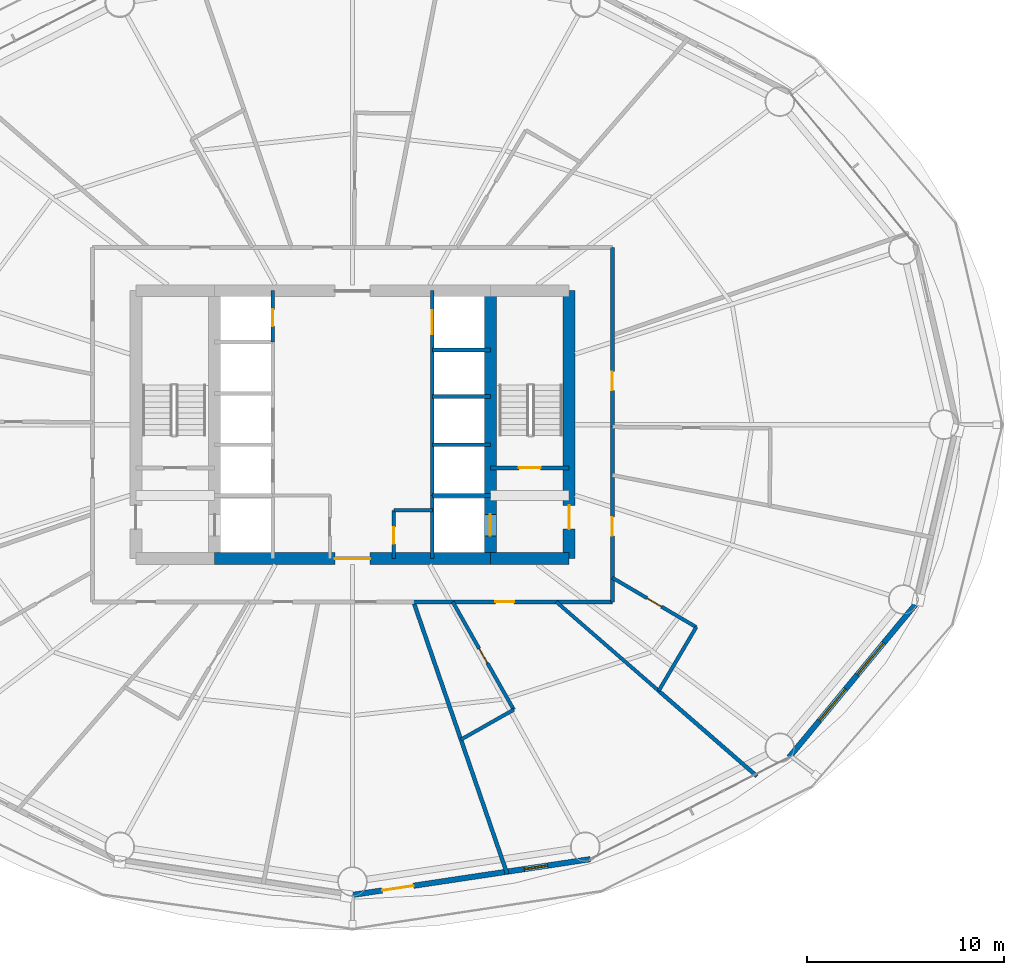
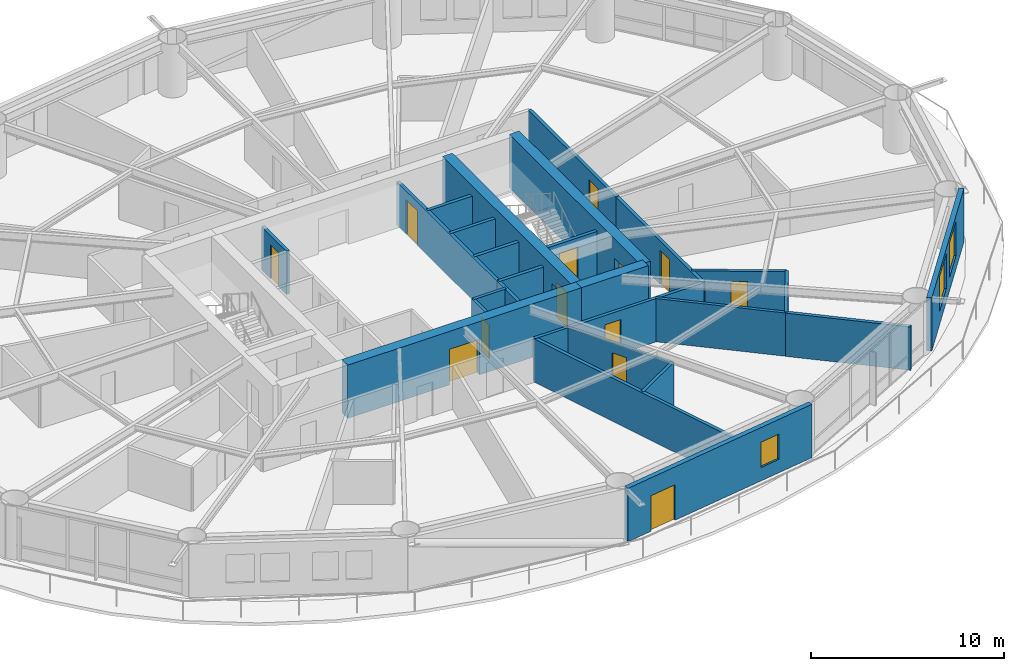
# One storey, part 21 of 26: 26 walls, 13 doors, 3 windows, 16 openings.
"""IFC4 building model written with IfcOpenShell, lengths in metres."""

from ifc_helpers import new_model, si_unit, direction, frame, frame_2d, origin, place, context, subcontext, project, spatial, rectangle, extrude, material, layer, layer_set, type_object, element, fill, save


model = new_model("IFC4")

# Units and contexts
model_context = context("Model", 3, precision=1e-05, world=origin(), true_north=direction((0.0, 1.0)))
body_context = subcontext(model_context, "Body", "Model", "MODEL_VIEW")
ifc_project = project(units=[si_unit("LENGTHUNIT", "METRE"), si_unit("AREAUNIT", "SQUARE_METRE"), si_unit("VOLUMEUNIT", "CUBIC_METRE"), si_unit("PLANEANGLEUNIT", "RADIAN"), si_unit("MASSUNIT", "GRAM", prefix="KILO")], contexts=[model_context])

# Site, building, storey
site_placement = place(None, origin())
site = spatial("IfcSite", under=ifc_project, at=site_placement, CompositionType="ELEMENT")
building_placement = place(site_placement, origin())
building = spatial("IfcBuilding", under=site, at=building_placement, Name="Sarneth Arch Tower", CompositionType="ELEMENT")
storey_placement = place(building_placement, frame((0.0, 0.0, 71.39990234375)))
storey = spatial("IfcBuildingStorey", under=building, at=storey_placement, Name="L17", CompositionType="ELEMENT", Elevation=71.39990234375)

# Wall, opening, door
ifc_material_1 = material(Name="Concrete C60/75", Category="concrete")
ifc_layer_1 = layer(ifc_material_1, 0.60009765625)
ifc_layer_set_1 = layer_set([ifc_layer_1], Name="Concrete C60/75")
wall_type_1 = type_object("IfcWallType", Name="WALL-CORE-600", PredefinedType="SHEAR", material=ifc_layer_set_1)
wall_1_placement = place(storey_placement, frame((41.0, 35.199951171875, 0.0), z_axis=(0.0, 0.0, 1.0), x_axis=(1.0, 0.0, 0.0)))
wall_1 = element("IfcWall", 1, at=wall_1_placement, inside=storey, type_object=wall_type_1, Name="L17 Core shear wall S-M", PredefinedType="SHEAR", context=body_context, shape_type="SweptSolid", body=[
    extrude(rectangle(XDim=14.0, YDim=0.60009765625, at=frame_2d((7.0, 0.0))), origin(), (0.0, 0.0, 1.0), 3.380126953125),
])
opening_1_placement = place(wall_1_placement, frame((6.10009765625, 0.0, 0.0)))
opening_1 = element("IfcOpeningElement", 2, at=opening_1_placement, cuts=wall_1, Name="Opening FD-01", PredefinedType="OPENING", context=body_context, shape_type="SweptSolid", body=[
    extrude(rectangle(XDim=1.800048828125, YDim=2.25, at=frame_2d((0.89990234375, 1.125))), frame((0.0, 0.31005859375, 0.0), z_axis=(0.0, -1.0, 0.0), x_axis=(1.0, 0.0, 0.0)), (0.0, 0.0, 1.0), 0.6201171875),
])
ifc_material_2 = material(Name="Galvanised Steel S275 fire door set", Category="steel")
door_type_1 = type_object("IfcDoorType", Name="DR-FD90-1800", OperationType="DOUBLE_DOOR_SINGLE_SWING", PredefinedType="DOOR", material=ifc_material_2)
door_1_placement = place(opening_1_placement, origin())
door_1 = element("IfcDoor", 3, at=door_1_placement, inside=storey, type_object=door_type_1, Name="L17 Central lift lobby south door", OperationType="DOUBLE_DOOR_SINGLE_SWING", OverallHeight=2.25, OverallWidth=1.800048828125, PredefinedType="DOOR", context=body_context, shape_type="SweptSolid", body=[
    extrude(rectangle(XDim=1.800048828125, YDim=2.25, at=frame_2d((0.89990234375, 1.125))), frame((0.0, 0.02490234375, 0.0), z_axis=(0.0, -1.0, 0.0), x_axis=(1.0, 0.0, 0.0)), (0.0, 0.0, 1.0), 0.050048828125),
])
fill(opening_1, door_1)

# Wall
wall_2_placement = place(storey_placement, frame((55.0, 35.199951171875, 0.0), z_axis=(0.0, 0.0, 1.0), x_axis=(1.0, 0.0, 0.0)))
element("IfcWall", 4, at=wall_2_placement, inside=storey, type_object=wall_type_1, Name="L17 Core shear wall S-E", PredefinedType="SHEAR", context=body_context, shape_type="SweptSolid", body=[
    extrude(rectangle(XDim=4.0, YDim=0.60009765625, at=frame_2d((2.0, 0.0))), origin(), (0.0, 0.0, 1.0), 3.380126953125),
])

# Wall, opening, door
wall_3_placement = place(storey_placement, frame((59.0, 35.199951171875, 0.0), z_axis=(0.0, 0.0, 1.0), x_axis=(0.0, 1.0, 0.0)))
wall_3 = element("IfcWall", 5, at=wall_3_placement, inside=storey, type_object=wall_type_1, Name="L17 Core shear wall E", PredefinedType="SHEAR", context=body_context, shape_type="SweptSolid", body=[
    extrude(rectangle(XDim=13.60009765625, YDim=0.60009765625, at=frame_2d((6.800048828125, 0.0))), origin(), (0.0, 0.0, 1.0), 3.380126953125),
])
opening_2_placement = place(wall_3_placement, frame((1.5, 0.0, 0.0)))
opening_2 = element("IfcOpeningElement", 6, at=opening_2_placement, cuts=wall_3, Name="Opening FD-02", PredefinedType="OPENING", context=body_context, shape_type="SweptSolid", body=[
    extrude(rectangle(XDim=1.199951171875, YDim=2.14990234375, at=frame_2d((0.60009765625, 1.074951171875))), frame((0.0, 0.31005859375, 0.0), z_axis=(0.0, -1.0, 0.0), x_axis=(1.0, 0.0, 0.0)), (0.0, 0.0, 1.0), 0.6201171875),
])
ifc_material_3 = material(Name="Galvanised Steel S275 fire door set", Category="steel")
door_type_2 = type_object("IfcDoorType", Name="DR-FD90-1200", OperationType="SINGLE_SWING_LEFT", PredefinedType="DOOR", material=ifc_material_3)
door_2_placement = place(opening_2_placement, origin())
door_2 = element("IfcDoor", 7, at=door_2_placement, inside=storey, type_object=door_type_2, Name="L17 Firefighting lobby 2 exit door", OperationType="SINGLE_SWING_RIGHT", OverallHeight=2.14990234375, OverallWidth=1.199951171875, PredefinedType="DOOR", context=body_context, shape_type="SweptSolid", body=[
    extrude(rectangle(XDim=1.199951171875, YDim=2.14990234375, at=frame_2d((0.60009765625, 1.074951171875))), frame((0.0, 0.02490234375, 0.0), z_axis=(0.0, -1.0, 0.0), x_axis=(1.0, 0.0, 0.0)), (0.0, 0.0, 1.0), 0.050048828125),
])
fill(opening_2, door_2)

wall_4_placement = place(storey_placement, frame((55.0, 35.199951171875, 0.0), z_axis=(0.0, 0.0, 1.0), x_axis=(0.0, 1.0, 0.0)))
wall_4 = element("IfcWall", 8, at=wall_4_placement, inside=storey, type_object=wall_type_1, Name="L17 Core shear wall WEB-E", PredefinedType="SHEAR", context=body_context, shape_type="SweptSolid", body=[
    extrude(rectangle(XDim=13.60009765625, YDim=0.60009765625, at=frame_2d((6.800048828125, 0.0))), origin(), (0.0, 0.0, 1.0), 3.380126953125),
])
opening_3_placement = place(wall_4_placement, frame((1.14990234375, 0.0, 0.0)))
opening_3 = element("IfcOpeningElement", 9, at=opening_3_placement, cuts=wall_4, Name="Opening LD-1", PredefinedType="OPENING", context=body_context, shape_type="SweptSolid", body=[
    extrude(rectangle(XDim=1.10009765625, YDim=2.199951171875, at=frame_2d((0.550048828125, 1.10009765625))), frame((0.0, 0.31005859375, 0.0), z_axis=(0.0, -1.0, 0.0), x_axis=(1.0, 0.0, 0.0)), (0.0, 0.0, 1.0), 0.6201171875),
])
ifc_material_4 = material(Name="Brushed Stainless Steel 304 lift landing door", Category="steel")
door_type_3 = type_object("IfcDoorType", Name="DR-LIFT-SLIDE-1100", OperationType="SLIDING_TO_LEFT", PredefinedType="DOOR", material=ifc_material_4)
door_3_placement = place(opening_3_placement, origin())
door_3 = element("IfcDoor", 10, at=door_3_placement, inside=storey, type_object=door_type_3, Name="L17 Firefighting lift landing door FL-2", OperationType="SLIDING_TO_RIGHT", OverallHeight=2.199951171875, OverallWidth=1.10009765625, PredefinedType="DOOR", context=body_context, shape_type="SweptSolid", body=[
    extrude(rectangle(XDim=1.10009765625, YDim=2.199951171875, at=frame_2d((0.550048828125, 1.10009765625))), frame((0.0, 0.02490234375, 0.0), z_axis=(0.0, -1.0, 0.0), x_axis=(1.0, 0.0, 0.0)), (0.0, 0.0, 1.0), 0.050048828125),
])
fill(opening_3, door_3)

ifc_material_5 = material(Name="Double steel-stud corridor fire wall", Category="steel")
ifc_layer_2 = layer(ifc_material_5, 0.18994140625)
ifc_layer_set_2 = layer_set([ifc_layer_2], Name="Double steel-stud corridor fire wall")
wall_type_2 = type_object("IfcWallType", Name="WALL-CORR-190", PredefinedType="PARTITIONING", material=ifc_layer_set_2)
wall_5_placement = place(storey_placement, frame((61.199951171875, 33.0, 0.0), z_axis=(0.0, 0.0, 1.0), x_axis=(-1.0, 0.0, 0.0)))
wall_5 = element("IfcWall", 11, at=wall_5_placement, inside=storey, type_object=wall_type_2, Name="L17 Interior partition W-L17-TP-019", PredefinedType="PARTITIONING", context=body_context, shape_type="SweptSolid", body=[
    extrude(rectangle(XDim=10.134765625, YDim=0.18994140625, at=frame_2d((5.0673828125, 0.0))), origin(), (0.0, 0.0, 1.0), 2.739990234375),
])
opening_4_placement = place(wall_5_placement, frame((4.996337890625, 0.0, 0.0)))
opening_4 = element("IfcOpeningElement", 12, at=opening_4_placement, cuts=wall_5, Name="Opening FD-09", PredefinedType="OPENING", context=body_context, shape_type="SweptSolid", body=[
    extrude(rectangle(XDim=0.949951171875, YDim=2.14990234375, at=frame_2d((0.47509765625, 1.074951171875))), frame((0.0, 0.10498046875, 0.0), z_axis=(0.0, -1.0, 0.0), x_axis=(1.0, 0.0, 0.0)), (0.0, 0.0, 1.0), 0.2099609375),
])
ifc_material_6 = material(Name="Hardwood timber hotel entrance fire door", Category="wood")
door_type_4 = type_object("IfcDoorType", Name="DR-FD60-950", OperationType="SINGLE_SWING_RIGHT", PredefinedType="DOOR", material=ifc_material_6)
door_4_placement = place(opening_4_placement, origin())
door_4 = element("IfcDoor", 13, at=door_4_placement, inside=storey, type_object=door_type_4, Name="L17 Interior door DR-L17-KEY-10", OperationType="SINGLE_SWING_LEFT", OverallHeight=2.14990234375, OverallWidth=0.949951171875, PredefinedType="DOOR", context=body_context, shape_type="SweptSolid", body=[
    extrude(rectangle(XDim=0.949951171875, YDim=2.14990234375, at=frame_2d((0.47509765625, 1.074951171875))), frame((0.0, 0.02490234375, 0.0), z_axis=(0.0, -1.0, 0.0), x_axis=(1.0, 0.0, 0.0)), (0.0, 0.0, 1.0), 0.050048828125),
])
fill(opening_4, door_4)

wall_6_placement = place(storey_placement, frame((61.199951171875, 41.916748046875, 0.0), z_axis=(0.0, 0.0, 1.0), x_axis=(0.0, -1.0, 0.0)))
wall_6 = element("IfcWall", 14, at=wall_6_placement, inside=storey, type_object=wall_type_2, Name="L17 Interior partition W-L17-TP-021", PredefinedType="PARTITIONING", context=body_context, shape_type="SweptSolid", body=[
    extrude(rectangle(XDim=8.916748046875, YDim=0.18994140625, at=frame_2d((4.45849609375, 0.0))), origin(), (0.0, 0.0, 1.0), 2.739990234375),
])
opening_5_placement = place(wall_6_placement, frame((4.614501953125, 0.0, 0.0)))
opening_5 = element("IfcOpeningElement", 15, at=opening_5_placement, cuts=wall_6, Name="Opening FD-09", PredefinedType="OPENING", context=body_context, shape_type="SweptSolid", body=[
    extrude(rectangle(XDim=0.949951171875, YDim=2.14990234375, at=frame_2d((0.47509765625, 1.074951171875))), frame((0.0, 0.10498046875, 0.0), z_axis=(0.0, -1.0, 0.0), x_axis=(1.0, 0.0, 0.0)), (0.0, 0.0, 1.0), 0.2099609375),
])
door_5_placement = place(opening_5_placement, origin())
door_5 = element("IfcDoor", 16, at=door_5_placement, inside=storey, type_object=door_type_4, Name="L17 Interior door DR-L17-KEY-11", OperationType="SINGLE_SWING_LEFT", OverallHeight=2.14990234375, OverallWidth=0.949951171875, PredefinedType="DOOR", context=body_context, shape_type="SweptSolid", body=[
    extrude(rectangle(XDim=0.949951171875, YDim=2.14990234375, at=frame_2d((0.47509765625, 1.074951171875))), frame((0.0, 0.02490234375, 0.0), z_axis=(0.0, -1.0, 0.0), x_axis=(1.0, 0.0, 0.0)), (0.0, 0.0, 1.0), 0.050048828125),
])
fill(opening_5, door_5)

wall_7_placement = place(storey_placement, frame((61.199951171875, 51.0, 0.0), z_axis=(0.0, 0.0, 1.0), x_axis=(0.0, -1.0, 0.0)))
wall_7 = element("IfcWall", 17, at=wall_7_placement, inside=storey, type_object=wall_type_2, Name="L17 Interior partition W-L17-TP-024", PredefinedType="PARTITIONING", context=body_context, shape_type="SweptSolid", body=[
    extrude(rectangle(XDim=9.147216796875, YDim=0.18994140625, at=frame_2d((4.57373046875, 0.0))), origin(), (0.0, 0.0, 1.0), 2.739990234375),
])
opening_6_placement = place(wall_7_placement, frame((6.30908203125, 0.0, 0.0)))
opening_6 = element("IfcOpeningElement", 18, at=opening_6_placement, cuts=wall_7, Name="Opening FD-09", PredefinedType="OPENING", context=body_context, shape_type="SweptSolid", body=[
    extrude(rectangle(XDim=0.949951171875, YDim=2.14990234375, at=frame_2d((0.47509765625, 1.074951171875))), frame((0.0, 0.10498046875, 0.0), z_axis=(0.0, -1.0, 0.0), x_axis=(1.0, 0.0, 0.0)), (0.0, 0.0, 1.0), 0.2099609375),
])
door_6_placement = place(opening_6_placement, origin())
door_6 = element("IfcDoor", 19, at=door_6_placement, inside=storey, type_object=door_type_4, Name="L17 Interior door DR-L17-KEY-12", OperationType="SINGLE_SWING_RIGHT", OverallHeight=2.14990234375, OverallWidth=0.949951171875, PredefinedType="DOOR", context=body_context, shape_type="SweptSolid", body=[
    extrude(rectangle(XDim=0.949951171875, YDim=2.14990234375, at=frame_2d((0.47509765625, 1.074951171875))), frame((0.0, 0.02490234375, 0.0), z_axis=(0.0, -1.0, 0.0), x_axis=(1.0, 0.0, 0.0)), (0.0, 0.0, 1.0), 0.050048828125),
])
fill(opening_6, door_6)

# Wall, openings, door, window
ifc_material_7 = material(Name="Extruded terracotta rainscreen on Concrete C40/50 backing", Category="masonry")
ifc_layer_3 = layer(ifc_material_7, 0.280029296875)
ifc_layer_set_3 = layer_set([ifc_layer_3], Name="Extruded terracotta rainscreen on Concrete C40/50 backing")
wall_type_3 = type_object("IfcWallType", Name="WALL-EXT-TERRA-280", PredefinedType="SOLIDWALL", material=ifc_layer_set_3)
wall_8_placement = place(storey_placement, frame((48.0, 18.1201171875, 0.0), z_axis=(0.0, 0.0, 1.0), x_axis=(0.988864835849, 0.148816452121, 0.0)))
wall_8 = element("IfcWall", 20, at=wall_8_placement, inside=storey, type_object=wall_type_3, Name="L17 Terracotta perimeter wall 13", PredefinedType="SOLIDWALL", context=body_context, shape_type="SweptSolid", body=[
    extrude(rectangle(XDim=12.2138671875, YDim=0.280029296875, at=frame_2d((6.10693359375, 0.0))), origin(), (0.0, 0.0, 1.0), 3.380126953125),
])
opening_7_placement = place(wall_8_placement, frame((1.53125, 0.0, 0.0)))
opening_7 = element("IfcOpeningElement", 21, at=opening_7_placement, cuts=wall_8, Name="Opening BD-1", PredefinedType="OPENING", context=body_context, shape_type="SweptSolid", body=[
    extrude(rectangle(XDim=1.60009765625, YDim=2.25, at=frame_2d((0.800048828125, 1.125))), frame((0.0, 0.14990234375, 0.0), z_axis=(0.0, -1.0, 0.0), x_axis=(1.0, 0.0, 0.0)), (0.0, 0.0, 1.0), 0.300048828125),
])
opening_8_placement = place(wall_8_placement, frame((8.813720703125, 0.0, 0.85009765625)))
opening_8 = element("IfcOpeningElement", 22, at=opening_8_placement, cuts=wall_8, Name="Opening W-10", PredefinedType="OPENING", context=body_context, shape_type="SweptSolid", body=[
    extrude(rectangle(XDim=1.199951171875, YDim=1.60009765625, at=frame_2d((0.60009765625, 0.800048828125))), frame((0.0, 0.14990234375, 0.0), z_axis=(0.0, -1.0, 0.0), x_axis=(1.0, 0.0, 0.0)), (0.0, 0.0, 1.0), 0.300048828125),
])
ifc_material_8 = material(Name="Thermally broken Aluminium 6063-T6 and laminated safety glass", Category="aluminium")
door_type_5 = type_object("IfcDoorType", Name="DR-BALC-GLZ-1600", OperationType="DOUBLE_DOOR_SINGLE_SWING", PredefinedType="DOOR", material=ifc_material_8)
door_7_placement = place(opening_7_placement, origin())
door_7 = element("IfcDoor", 23, at=door_7_placement, inside=storey, type_object=door_type_5, Name="L17 Balcony glazed door 13", OperationType="DOUBLE_DOOR_SINGLE_SWING", OverallHeight=2.25, OverallWidth=1.60009765625, PredefinedType="DOOR", context=body_context, shape_type="SweptSolid", body=[
    extrude(rectangle(XDim=1.60009765625, YDim=2.25, at=frame_2d((0.800048828125, 1.125))), frame((0.0, 0.02490234375, 0.0), z_axis=(0.0, -1.0, 0.0), x_axis=(1.0, 0.0, 0.0)), (0.0, 0.0, 1.0), 0.050048828125),
])
fill(opening_7, door_7)
ifc_material_9 = material(Name="Thermally broken Aluminium 6063-T6 and low-e laminated IGU", Category="aluminium")
window_type_1 = type_object("IfcWindowType", Name="WIN-TWR-1200x1600", PartitioningType="SINGLE_PANEL", PredefinedType="WINDOW", material=ifc_material_9)
window_1_placement = place(opening_8_placement, origin())
window_1 = element("IfcWindow", 24, at=window_1_placement, inside=storey, type_object=window_type_1, Name="L17 Exterior window 13A", OverallHeight=1.60009765625, OverallWidth=1.199951171875, PartitioningType="SINGLE_PANEL", PredefinedType="WINDOW", context=body_context, shape_type="SweptSolid", body=[
    extrude(rectangle(XDim=1.199951171875, YDim=1.60009765625, at=frame_2d((0.60009765625, 0.800048828125))), frame((0.0, 0.030029296875, 0.0), z_axis=(0.0, -1.0, 0.0), x_axis=(1.0, 0.0, 0.0)), (0.0, 0.0, 1.0), 0.06005859375),
])
fill(opening_8, window_1)

# Wall, openings, windows
wall_9_placement = place(storey_placement, frame((70.174072265625, 25.1142578125, 0.0), z_axis=(0.0, 0.0, 1.0), x_axis=(0.637296809613, 0.770618437657, 0.0)))
wall_9 = element("IfcWall", 25, at=wall_9_placement, inside=storey, type_object=wall_type_3, Name="L17 Terracotta perimeter wall 15", PredefinedType="SOLIDWALL", context=body_context, shape_type="SweptSolid", body=[
    extrude(rectangle(XDim=10.053466796875, YDim=0.280029296875, at=frame_2d((5.02685546875, 0.0))), origin(), (0.0, 0.0, 1.0), 3.380126953125),
])
opening_9_placement = place(wall_9_placement, frame((2.39794921875, 0.0, 0.85009765625)))
opening_9 = element("IfcOpeningElement", 26, at=opening_9_placement, cuts=wall_9, Name="Opening W-03", PredefinedType="OPENING", context=body_context, shape_type="SweptSolid", body=[
    extrude(rectangle(XDim=2.10009765625, YDim=2.199951171875, at=frame_2d((1.050048828125, 1.10009765625))), frame((0.0, 0.14990234375, 0.0), z_axis=(0.0, -1.0, 0.0), x_axis=(1.0, 0.0, 0.0)), (0.0, 0.0, 1.0), 0.300048828125),
])
opening_10_placement = place(wall_9_placement, frame((5.4296875, 0.0, 0.85009765625)))
opening_10 = element("IfcOpeningElement", 27, at=opening_10_placement, cuts=wall_9, Name="Opening W-03", PredefinedType="OPENING", context=body_context, shape_type="SweptSolid", body=[
    extrude(rectangle(XDim=2.10009765625, YDim=2.199951171875, at=frame_2d((1.050048828125, 1.10009765625))), frame((0.0, 0.14990234375, 0.0), z_axis=(0.0, -1.0, 0.0), x_axis=(1.0, 0.0, 0.0)), (0.0, 0.0, 1.0), 0.300048828125),
])
ifc_material_10 = material(Name="Thermally broken Aluminium 6063-T6 and low-e laminated IGU", Category="aluminium")
window_type_2 = type_object("IfcWindowType", Name="WIN-TWR-2100x2200", PartitioningType="DOUBLE_PANEL_VERTICAL", PredefinedType="WINDOW", material=ifc_material_10)
window_2_placement = place(opening_9_placement, origin())
window_2 = element("IfcWindow", 28, at=window_2_placement, inside=storey, type_object=window_type_2, Name="L17 Exterior window 15A", OverallHeight=2.199951171875, OverallWidth=2.10009765625, PartitioningType="SINGLE_PANEL", PredefinedType="WINDOW", context=body_context, shape_type="SweptSolid", body=[
    extrude(rectangle(XDim=2.10009765625, YDim=2.199951171875, at=frame_2d((1.050048828125, 1.10009765625))), frame((0.0, 0.030029296875, 0.0), z_axis=(0.0, -1.0, 0.0), x_axis=(1.0, 0.0, 0.0)), (0.0, 0.0, 1.0), 0.06005859375),
])
fill(opening_9, window_2)
window_3_placement = place(opening_10_placement, origin())
window_3 = element("IfcWindow", 29, at=window_3_placement, inside=storey, type_object=window_type_2, Name="L17 Exterior window 15B", OverallHeight=2.199951171875, OverallWidth=2.10009765625, PartitioningType="SINGLE_PANEL", PredefinedType="WINDOW", context=body_context, shape_type="SweptSolid", body=[
    extrude(rectangle(XDim=2.10009765625, YDim=2.199951171875, at=frame_2d((1.050048828125, 1.10009765625))), frame((0.0, 0.030029296875, 0.0), z_axis=(0.0, -1.0, 0.0), x_axis=(1.0, 0.0, 0.0)), (0.0, 0.0, 1.0), 0.06005859375),
])
fill(opening_10, window_3)

# Wall
ifc_material_11 = material(Name="Moisture-resistant plumbing chase wall", Category="gypsum")
ifc_layer_4 = layer(ifc_material_11, 0.179931640625)
ifc_layer_set_4 = layer_set([ifc_layer_4], Name="Moisture-resistant plumbing chase wall")
wall_type_4 = type_object("IfcWallType", Name="WALL-PLUMB-180", PredefinedType="PLUMBINGWALL", material=ifc_layer_set_4)
wall_10_placement = place(storey_placement, frame((50.10009765625, 37.64990234375, 0.0), z_axis=(0.0, 0.0, 1.0), x_axis=(1.0, 0.0, 0.0)))
element("IfcWall", 30, at=wall_10_placement, inside=storey, type_object=wall_type_4, Name="L17 Interior partition W-L17-AWC-N", PredefinedType="PLUMBINGWALL", context=body_context, shape_type="SweptSolid", body=[
    extrude(rectangle(XDim=1.949951171875, YDim=0.179931640625, at=frame_2d((0.97509765625, 0.0))), origin(), (0.0, 0.0, 1.0), 2.739990234375),
])

# Wall, opening, door
wall_11_placement = place(storey_placement, frame((50.10009765625, 35.199951171875, 0.0), z_axis=(0.0, 0.0, 1.0), x_axis=(0.0, 1.0, 0.0)))
wall_11 = element("IfcWall", 31, at=wall_11_placement, inside=storey, type_object=wall_type_4, Name="L17 Interior partition W-L17-AWC-W", PredefinedType="PLUMBINGWALL", context=body_context, shape_type="SweptSolid", body=[
    extrude(rectangle(XDim=2.449951171875, YDim=0.179931640625, at=frame_2d((1.22509765625, 0.0))), origin(), (0.0, 0.0, 1.0), 2.739990234375),
])
opening_11_placement = place(wall_11_placement, frame((0.75, 0.0, 0.0)))
opening_11 = element("IfcOpeningElement", 32, at=opening_11_placement, cuts=wall_11, Name="Opening ID-02", PredefinedType="OPENING", context=body_context, shape_type="SweptSolid", body=[
    extrude(rectangle(XDim=0.85009765625, YDim=2.10009765625, at=frame_2d((0.425048828125, 1.050048828125))), frame((0.0, 0.099853515625, 0.0), z_axis=(0.0, -1.0, 0.0), x_axis=(1.0, 0.0, 0.0)), (0.0, 0.0, 1.0), 0.199951171875),
])
ifc_material_12 = material(Name="Moisture-resistant bathroom timber door", Category="wood")
door_type_6 = type_object("IfcDoorType", Name="DR-INT-850", OperationType="SINGLE_SWING_RIGHT", PredefinedType="DOOR", material=ifc_material_12)
door_8_placement = place(opening_11_placement, origin())
door_8 = element("IfcDoor", 33, at=door_8_placement, inside=storey, type_object=door_type_6, Name="L17 Interior door DR-L17-AWC", OperationType="SINGLE_SWING_RIGHT", OverallHeight=2.10009765625, OverallWidth=0.85009765625, PredefinedType="DOOR", context=body_context, shape_type="SweptSolid", body=[
    extrude(rectangle(XDim=0.85009765625, YDim=2.10009765625, at=frame_2d((0.425048828125, 1.050048828125))), frame((0.0, 0.02490234375, 0.0), z_axis=(0.0, -1.0, 0.0), x_axis=(1.0, 0.0, 0.0)), (0.0, 0.0, 1.0), 0.050048828125),
])
fill(opening_11, door_8)

# Wall
wall_12_placement = place(storey_placement, frame((63.548583984375, 28.483642578125, 0.0), z_axis=(0.0, 0.0, 1.0), x_axis=(-0.754699426586, 0.65607070923, 0.0)))
element("IfcWall", 34, at=wall_12_placement, inside=storey, type_object=wall_type_4, Name="L17 Interior partition W-L17-TP-058", PredefinedType="PLUMBINGWALL", context=body_context, shape_type="SweptSolid", body=[
    extrude(rectangle(XDim=6.884033203125, YDim=0.179931640625, at=frame_2d((3.44189453125, 0.0))), origin(), (0.0, 0.0, 1.0), 2.739990234375),
])

# Wall, opening, door
wall_13_placement = place(storey_placement, frame((56.188720703125, 27.526611328125, 0.0), z_axis=(0.0, 0.0, 1.0), x_axis=(-0.492421798109, 0.870356692826, 0.0)))
wall_13 = element("IfcWall", 35, at=wall_13_placement, inside=storey, type_object=wall_type_4, Name="L17 Interior partition W-L17-TP-056", PredefinedType="PLUMBINGWALL", context=body_context, shape_type="SweptSolid", body=[
    extrude(rectangle(XDim=6.28857421875, YDim=0.179931640625, at=frame_2d((3.144287109375, 0.0))), origin(), (0.0, 0.0, 1.0), 2.739990234375),
])
opening_12_placement = place(wall_13_placement, frame((2.719482421875, 0.0, 0.0)))
opening_12 = element("IfcOpeningElement", 36, at=opening_12_placement, cuts=wall_13, Name="Opening ID-02", PredefinedType="OPENING", context=body_context, shape_type="SweptSolid", body=[
    extrude(rectangle(XDim=0.85009765625, YDim=2.10009765625, at=frame_2d((0.425048828125, 1.050048828125))), frame((0.0, 0.099853515625, 0.0), z_axis=(0.0, -1.0, 0.0), x_axis=(1.0, 0.0, 0.0)), (0.0, 0.0, 1.0), 0.199951171875),
])
door_9_placement = place(opening_12_placement, origin())
door_9 = element("IfcDoor", 37, at=door_9_placement, inside=storey, type_object=door_type_6, Name="L17 Interior door DR-L17-ENS-10", OperationType="SINGLE_SWING_LEFT", OverallHeight=2.10009765625, OverallWidth=0.85009765625, PredefinedType="DOOR", context=body_context, shape_type="SweptSolid", body=[
    extrude(rectangle(XDim=0.85009765625, YDim=2.10009765625, at=frame_2d((0.425048828125, 1.050048828125))), frame((0.0, 0.02490234375, 0.0), z_axis=(0.0, -1.0, 0.0), x_axis=(1.0, 0.0, 0.0)), (0.0, 0.0, 1.0), 0.050048828125),
])
fill(opening_12, door_9)

wall_14_placement = place(storey_placement, frame((61.199951171875, 34.224609375, 0.0), z_axis=(0.0, 0.0, 1.0), x_axis=(0.861622640197, -0.507549431977, 0.0)))
wall_14 = element("IfcWall", 38, at=wall_14_placement, inside=storey, type_object=wall_type_4, Name="L17 Interior partition W-L17-TP-059", PredefinedType="PLUMBINGWALL", context=body_context, shape_type="SweptSolid", body=[
    extrude(rectangle(XDim=4.937744140625, YDim=0.179931640625, at=frame_2d((2.46875, 0.0))), origin(), (0.0, 0.0, 1.0), 2.739990234375),
])
opening_13_placement = place(wall_14_placement, frame((2.043701171875, 0.0, 0.0)))
opening_13 = element("IfcOpeningElement", 39, at=opening_13_placement, cuts=wall_14, Name="Opening ID-02", PredefinedType="OPENING", context=body_context, shape_type="SweptSolid", body=[
    extrude(rectangle(XDim=0.85009765625, YDim=2.10009765625, at=frame_2d((0.425048828125, 1.050048828125))), frame((0.0, 0.099853515625, 0.0), z_axis=(0.0, -1.0, 0.0), x_axis=(1.0, 0.0, 0.0)), (0.0, 0.0, 1.0), 0.199951171875),
])
door_10_placement = place(opening_13_placement, origin())
door_10 = element("IfcDoor", 40, at=door_10_placement, inside=storey, type_object=door_type_6, Name="L17 Interior door DR-L17-ENS-11", OperationType="SINGLE_SWING_LEFT", OverallHeight=2.10009765625, OverallWidth=0.85009765625, PredefinedType="DOOR", context=body_context, shape_type="SweptSolid", body=[
    extrude(rectangle(XDim=0.85009765625, YDim=2.10009765625, at=frame_2d((0.425048828125, 1.050048828125))), frame((0.0, 0.02490234375, 0.0), z_axis=(0.0, -1.0, 0.0), x_axis=(1.0, 0.0, 0.0)), (0.0, 0.0, 1.0), 0.050048828125),
])
fill(opening_13, door_10)

# Walls
wall_15_placement = place(storey_placement, frame((65.454345703125, 31.718505859375, 0.0), z_axis=(0.0, 0.0, 1.0), x_axis=(-0.507594049508, -0.861596356134, 0.0)))
element("IfcWall", 41, at=wall_15_placement, inside=storey, type_object=wall_type_4, Name="L17 Interior partition W-L17-TP-060", PredefinedType="PLUMBINGWALL", context=body_context, shape_type="SweptSolid", body=[
    extrude(rectangle(XDim=3.75439453125, YDim=0.179931640625, at=frame_2d((1.877197265625, 0.0))), origin(), (0.0, 0.0, 1.0), 2.739990234375),
])
wall_16_placement = place(storey_placement, frame((53.506103515625, 26.0087890625, 0.0), z_axis=(0.0, 0.0, 1.0), x_axis=(0.87034589465, 0.492440883422, 0.0)))
element("IfcWall", 42, at=wall_16_placement, inside=storey, type_object=wall_type_4, Name="L17 Interior partition W-L17-TP-055", PredefinedType="PLUMBINGWALL", context=body_context, shape_type="SweptSolid", body=[
    extrude(rectangle(XDim=3.082275390625, YDim=0.179931640625, at=frame_2d((1.541015625, 0.0))), origin(), (0.0, 0.0, 1.0), 2.739990234375),
])

# Wall, opening, door
ifc_material_13 = material(Name="Aerated concrete blockwork C25/30", Category="masonry")
ifc_layer_5 = layer(ifc_material_13, 0.199951171875)
ifc_layer_set_5 = layer_set([ifc_layer_5], Name="Aerated concrete blockwork C25/30")
wall_type_5 = type_object("IfcWallType", Name="WALL-SHAFT-200", PredefinedType="SOLIDWALL", material=ifc_layer_set_5)
wall_17_placement = place(storey_placement, frame((55.0, 39.800048828125, 0.0), z_axis=(0.0, 0.0, 1.0), x_axis=(1.0, 0.0, 0.0)))
wall_17 = element("IfcWall", 43, at=wall_17_placement, inside=storey, type_object=wall_type_5, Name="L17 Interior partition W-L17-ST2-S", PredefinedType="SOLIDWALL", context=body_context, shape_type="SweptSolid", body=[
    extrude(rectangle(XDim=4.0, YDim=0.199951171875, at=frame_2d((2.0, 0.0))), origin(), (0.0, 0.0, 1.0), 2.739990234375),
])
opening_14_placement = place(wall_17_placement, frame((1.449951171875, 0.0, 0.0)))
opening_14 = element("IfcOpeningElement", 44, at=opening_14_placement, cuts=wall_17, Name="Opening FD-03", PredefinedType="OPENING", context=body_context, shape_type="SweptSolid", body=[
    extrude(rectangle(XDim=1.10009765625, YDim=2.14990234375, at=frame_2d((0.550048828125, 1.074951171875))), frame((0.0, 0.10986328125, 0.0), z_axis=(0.0, -1.0, 0.0), x_axis=(1.0, 0.0, 0.0)), (0.0, 0.0, 1.0), 0.219970703125),
])
ifc_material_14 = material(Name="Galvanised Steel S275 fire door set", Category="steel")
door_type_7 = type_object("IfcDoorType", Name="DR-FD90-1100", OperationType="SINGLE_SWING_LEFT", PredefinedType="DOOR", material=ifc_material_14)
door_11_placement = place(opening_14_placement, origin())
door_11 = element("IfcDoor", 45, at=door_11_placement, inside=storey, type_object=door_type_7, Name="L17 Interior door DR-L17-ST2", OperationType="SINGLE_SWING_RIGHT", OverallHeight=2.14990234375, OverallWidth=1.10009765625, PredefinedType="DOOR", context=body_context, shape_type="SweptSolid", body=[
    extrude(rectangle(XDim=1.10009765625, YDim=2.14990234375, at=frame_2d((0.550048828125, 1.074951171875))), frame((0.0, 0.02490234375, 0.0), z_axis=(0.0, -1.0, 0.0), x_axis=(1.0, 0.0, 0.0)), (0.0, 0.0, 1.0), 0.050048828125),
])
fill(opening_14, door_11)

# Walls
wall_18_placement = place(storey_placement, frame((52.050048828125, 35.199951171875, 0.0), z_axis=(0.0, 0.0, 1.0), x_axis=(0.0, 1.0, 0.0)))
element("IfcWall", 46, at=wall_18_placement, inside=storey, type_object=wall_type_5, Name="L17 Interior partition W-L17-FL2-W", PredefinedType="SOLIDWALL", context=body_context, shape_type="SweptSolid", body=[
    extrude(rectangle(XDim=3.199951171875, YDim=0.199951171875, at=frame_2d((1.60009765625, 0.0))), origin(), (0.0, 0.0, 1.0), 2.739990234375),
])
wall_19_placement = place(storey_placement, frame((52.050048828125, 38.39990234375, 0.0), z_axis=(0.0, 0.0, 1.0), x_axis=(1.0, 0.0, 0.0)))
element("IfcWall", 47, at=wall_19_placement, inside=storey, type_object=wall_type_5, Name="L17 Interior partition W-L17-FL2-N", PredefinedType="SOLIDWALL", context=body_context, shape_type="SweptSolid", body=[
    extrude(rectangle(XDim=2.949951171875, YDim=0.199951171875, at=frame_2d((1.47509765625, 0.0))), origin(), (0.0, 0.0, 1.0), 2.739990234375),
])

# Wall, opening, door
wall_20_placement = place(storey_placement, frame((43.949951171875, 46.199951171875, 0.0), z_axis=(0.0, 0.0, 1.0), x_axis=(0.0, 1.0, 0.0)))
wall_20 = element("IfcWall", 48, at=wall_20_placement, inside=storey, type_object=wall_type_5, Name="L17 Interior partition W-L17-RISER-E", PredefinedType="SOLIDWALL", context=body_context, shape_type="SweptSolid", body=[
    extrude(rectangle(XDim=2.60009765625, YDim=0.199951171875, at=frame_2d((1.300048828125, 0.0))), origin(), (0.0, 0.0, 1.0), 2.739990234375),
])
opening_15_placement = place(wall_20_placement, frame((0.800048828125, 0.0, 0.0)))
opening_15 = element("IfcOpeningElement", 49, at=opening_15_placement, cuts=wall_20, Name="Opening FD-11", PredefinedType="OPENING", context=body_context, shape_type="SweptSolid", body=[
    extrude(rectangle(XDim=0.85009765625, YDim=2.14990234375, at=frame_2d((0.425048828125, 1.074951171875))), frame((0.0, 0.10986328125, 0.0), z_axis=(0.0, -1.0, 0.0), x_axis=(1.0, 0.0, 0.0)), (0.0, 0.0, 1.0), 0.219970703125),
])
ifc_material_15 = material(Name="Galvanised Steel S275 closet fire door", Category="steel")
door_type_8 = type_object("IfcDoorType", Name="DR-FD60-850", OperationType="SINGLE_SWING_LEFT", PredefinedType="DOOR", material=ifc_material_15)
door_12_placement = place(opening_15_placement, origin())
door_12 = element("IfcDoor", 50, at=door_12_placement, inside=storey, type_object=door_type_8, Name="L17 Lift landing door DR-L17-RISER", OperationType="SINGLE_SWING_LEFT", OverallHeight=2.14990234375, OverallWidth=0.85009765625, PredefinedType="DOOR", context=body_context, shape_type="SweptSolid", body=[
    extrude(rectangle(XDim=0.85009765625, YDim=2.14990234375, at=frame_2d((0.425048828125, 1.074951171875))), frame((0.0, 0.02490234375, 0.0), z_axis=(0.0, -1.0, 0.0), x_axis=(1.0, 0.0, 0.0)), (0.0, 0.0, 1.0), 0.050048828125),
])
fill(opening_15, door_12)

wall_21_placement = place(storey_placement, frame((52.050048828125, 38.39990234375, 0.0), z_axis=(0.0, 0.0, 1.0), x_axis=(0.0, 1.0, 0.0)))
wall_21 = element("IfcWall", 51, at=wall_21_placement, inside=storey, type_object=wall_type_5, Name="L17 Interior partition W-L17-EASTBANK-FRONT", PredefinedType="SOLIDWALL", context=body_context, shape_type="SweptSolid", body=[
    extrude(rectangle(XDim=10.400146484375, YDim=0.199951171875, at=frame_2d((5.2001953125, 0.0))), origin(), (0.0, 0.0, 1.0), 2.739990234375),
])
opening_16_placement = place(wall_21_placement, frame((8.199951171875, 0.0, 0.0)))
opening_16 = element("IfcOpeningElement", 52, at=opening_16_placement, cuts=wall_21, Name="Opening LD-2", PredefinedType="OPENING", context=body_context, shape_type="SweptSolid", body=[
    extrude(rectangle(XDim=1.199951171875, YDim=2.199951171875, at=frame_2d((0.60009765625, 1.10009765625))), frame((0.0, 0.10986328125, 0.0), z_axis=(0.0, -1.0, 0.0), x_axis=(1.0, 0.0, 0.0)), (0.0, 0.0, 1.0), 0.219970703125),
])
ifc_material_16 = material(Name="Brushed Stainless Steel 304 service lift door", Category="steel")
door_type_9 = type_object("IfcDoorType", Name="DR-LIFT-SLIDE-1200", OperationType="SLIDING_TO_RIGHT", PredefinedType="DOOR", material=ifc_material_16)
door_13_placement = place(opening_16_placement, origin())
door_13 = element("IfcDoor", 53, at=door_13_placement, inside=storey, type_object=door_type_9, Name="L17 Lift landing door DR-L17-LD-SL1", OperationType="SLIDING_TO_RIGHT", OverallHeight=2.199951171875, OverallWidth=1.199951171875, PredefinedType="DOOR", context=body_context, shape_type="SweptSolid", body=[
    extrude(rectangle(XDim=1.199951171875, YDim=2.199951171875, at=frame_2d((0.60009765625, 1.10009765625))), frame((0.0, 0.02490234375, 0.0), z_axis=(0.0, -1.0, 0.0), x_axis=(1.0, 0.0, 0.0)), (0.0, 0.0, 1.0), 0.050048828125),
])
fill(opening_16, door_13)

# Walls
for number, where, z_axis, x_axis, name in (
    (54, (52.050048828125, 40.97998046875, 0.0), (0.0, 0.0, 1.0), (1.0, 0.0, 0.0), "L17 Interior partition W-L17-EB-DIV-4098"),
    (55, (52.050048828125, 43.419921875, 0.0), (0.0, 0.0, 1.0), (1.0, 0.0, 0.0), "L17 Interior partition W-L17-EB-DIV-4342"),
    (56, (52.050048828125, 45.800048828125, 0.0), (0.0, 0.0, 1.0), (1.0, 0.0, 0.0), "L17 Interior partition W-L17-EB-DIV-4580"),
):
    element("IfcWall", number, at=place(storey_placement, frame(where, z_axis=z_axis, x_axis=x_axis)), inside=storey, type_object=wall_type_5, Name=name, PredefinedType="SOLIDWALL", context=body_context, shape_type="SweptSolid", body=[
        extrude(rectangle(XDim=2.949951171875, YDim=0.199951171875, at=frame_2d((1.47509765625, 0.0))), origin(), (0.0, 0.0, 1.0), 2.739990234375),
    ])
ifc_material_17 = material(Name="Double steel-stud acoustic drywall", Category="steel")
ifc_layer_6 = layer(ifc_material_17, 0.199951171875)
ifc_layer_set_6 = layer_set([ifc_layer_6], Name="Double steel-stud acoustic drywall")
wall_type_6 = type_object("IfcWallType", Name="WALL-UNIT-200", PredefinedType="PARTITIONING", material=ifc_layer_set_6)
wall_22_placement = place(storey_placement, frame((51.098876953125, 33.0, 0.0), z_axis=(0.0, 0.0, 1.0), x_axis=(0.325569992405, -0.945517942741, 0.0)))
element("IfcWall", 57, at=wall_22_placement, inside=storey, type_object=wall_type_6, Name="L17 Interior partition W-L17-TP-054", PredefinedType="PARTITIONING", context=body_context, shape_type="SweptSolid", body=[
    extrude(rectangle(XDim=14.613037109375, YDim=0.199951171875, at=frame_2d((7.306640625, 0.0))), origin(), (0.0, 0.0, 1.0), 2.739990234375),
])
wall_23_placement = place(storey_placement, frame((68.535400390625, 24.14892578125, 0.0), z_axis=(0.0, 0.0, 1.0), x_axis=(-0.754728806145, 0.656036911442, 0.0)))
element("IfcWall", 58, at=wall_23_placement, inside=storey, type_object=wall_type_6, Name="L17 Interior partition W-L17-TP-057", PredefinedType="PARTITIONING", context=body_context, shape_type="SweptSolid", body=[
    extrude(rectangle(XDim=6.607421875, YDim=0.199951171875, at=frame_2d((3.3037109375, 0.0))), origin(), (0.0, 0.0, 1.0), 2.739990234375),
])

save(model, "model.ifc")
